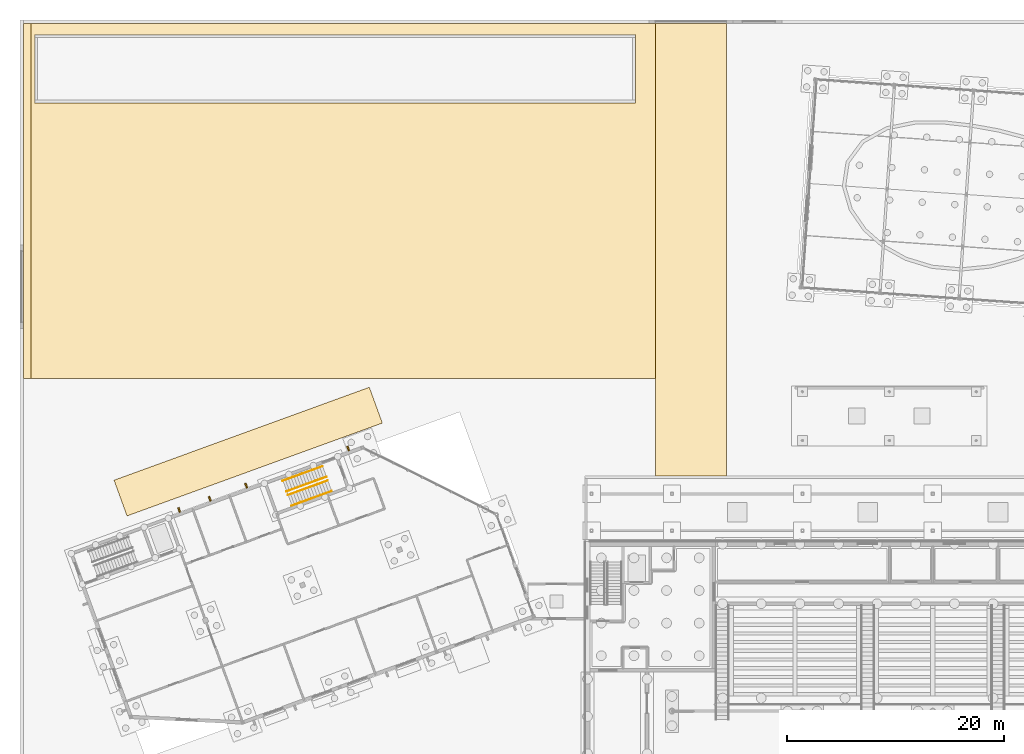
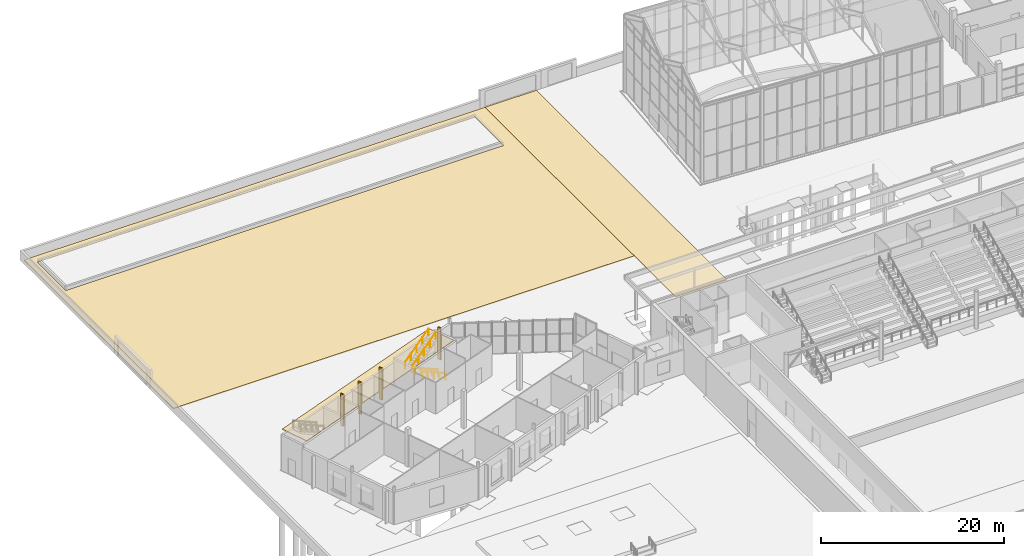
# One storey, part 137 of 157: 4 coverings, 4 railings, 4 shading devices.
"""IFC4 building model written with IfcOpenShell, lengths in metres."""

from ifc_helpers import new_model, si_unit, direction, frame, origin, origin_2d, place, context, subcontext, project, spatial, polyline, circle, outline, extrude, material, layer, layer_set, type_object, element, save


model = new_model("IFC4")

# Units and contexts
model_context = context("Model", 3, precision=1e-05, world=origin(), true_north=direction((0.0, 1.0)))
body_context = subcontext(model_context, "Body", "Model", "MODEL_VIEW")
ifc_project = project(units=[si_unit("LENGTHUNIT", "METRE"), si_unit("AREAUNIT", "SQUARE_METRE"), si_unit("VOLUMEUNIT", "CUBIC_METRE"), si_unit("PLANEANGLEUNIT", "RADIAN"), si_unit("MASSUNIT", "GRAM", prefix="KILO")], contexts=[model_context])

# Site, building, storey
site_placement = place(None, origin())
site = spatial("IfcSite", under=ifc_project, at=site_placement, CompositionType="ELEMENT")
building_placement = place(site_placement, origin())
building = spatial("IfcBuilding", under=site, at=building_placement, Name="Windward Yard Aquatics Centre", CompositionType="ELEMENT")
storey_placement = place(building_placement, origin())
storey = spatial("IfcBuildingStorey", under=building, at=storey_placement, Name="L00", CompositionType="ELEMENT", Elevation=0.0)

# Railings
ifc_material_1 = material(Name="Stainless steel 1.4401", Category="steel")
railing_type = type_object("IfcRailingType", Name="F handrail 900 stainless steel", PredefinedType="HANDRAIL", material=ifc_material_1)
for number, where, name in (
    (1, (28.6806640625, 100.64306640625, 0.166748046875), "F.RL.H.L00.S2.11"),
    (2, (28.324951171875, 101.620361328125, 0.166748046875), "F.RL.H.L00.S2.12"),
):
    element("IfcRailing", number, at=place(storey_placement, frame(where)), inside=storey, type_object=railing_type, Name=name, PredefinedType="HANDRAIL", context=body_context, shape_type="SweptSolid", body=[
        extrude(circle(Radius=0.02099609375, at=origin_2d()), frame((0.0, 0.0, 0.87890625), z_axis=(-0.807473176695, -0.293918523754, 0.511467467502), x_axis=(0.342043081867, -0.939684271523, 0.0)), (0.0, 0.0, 1.0), 4.561767578125),
        extrude(circle(Radius=0.01611328125, at=origin_2d()), origin(), (0.0, 0.0, 1.0), 0.85791015625),
        extrude(circle(Radius=0.01611328125, at=origin_2d()), frame((-0.9208984375, -0.335205078125, 0.583251953125)), (0.0, 0.0, 1.0), 0.85791015625),
        extrude(circle(Radius=0.01611328125, at=origin_2d()), frame((-1.841796875, -0.67041015625, 1.16650390625)), (0.0, 0.0, 1.0), 0.85791015625),
        extrude(circle(Radius=0.01611328125, at=origin_2d()), frame((-2.7626953125, -1.005615234375, 1.75)), (0.0, 0.0, 1.0), 0.85791015625),
        extrude(circle(Radius=0.01611328125, at=origin_2d()), frame((-3.68359375, -1.3408203125, 2.333251953125)), (0.0, 0.0, 1.0), 0.85791015625),
    ])
for number, where, name in (
    (3, (24.51806640625, 100.617919921875, 2.666748046875), "F.RL.H.L00.S2.21"),
    (4, (24.162353515625, 101.59521484375, 2.666748046875), "F.RL.H.L00.S2.22"),
):
    element("IfcRailing", number, at=place(storey_placement, frame(where)), inside=storey, type_object=railing_type, Name=name, PredefinedType="HANDRAIL", context=body_context, shape_type="SweptSolid", body=[
        extrude(circle(Radius=0.02099609375, at=origin_2d()), frame((0.0, 0.0, 0.87890625), z_axis=(0.807485877235, 0.293869628307, 0.511475512244), x_axis=(-0.34198808625, 0.939704287988, 0.0)), (0.0, 0.0, 1.0), 4.561767578125),
        extrude(circle(Radius=0.01611328125, at=origin_2d()), origin(), (0.0, 0.0, 1.0), 0.85791015625),
        extrude(circle(Radius=0.01611328125, at=origin_2d()), frame((0.9208984375, 0.335205078125, 0.583251953125)), (0.0, 0.0, 1.0), 0.85791015625),
        extrude(circle(Radius=0.01611328125, at=origin_2d()), frame((1.841796875, 0.67041015625, 1.16650390625)), (0.0, 0.0, 1.0), 0.85791015625),
        extrude(circle(Radius=0.01611328125, at=origin_2d()), frame((2.7626953125, 1.00537109375, 1.75)), (0.0, 0.0, 1.0), 0.85791015625),
        extrude(circle(Radius=0.01611328125, at=origin_2d()), frame((3.68359375, 1.340576171875, 2.333251953125)), (0.0, 0.0, 1.0), 0.85791015625),
    ])

# Shading devices
ifc_material_2 = material(Name="Aluminium fin, powder coated", Category="aluminium")
shading_device_type = type_object("IfcShadingDeviceType", Name="F vertical fin 150x450", PredefinedType="USERDEFINED", material=ifc_material_2)
shading_device_1_placement = place(storey_placement, origin())
element("IfcShadingDevice", 5, at=shading_device_1_placement, inside=storey, type_object=shading_device_type, Name="Vertical fin F.WL.L00.E08.1.1", ObjectType="FIN", PredefinedType="USERDEFINED", context=body_context, shape_type="SweptSolid", body=[
    extrude(outline(polyline([(30.056640625, 104.7568359375), (30.197509765625, 104.80810546875), (30.351318359375, 104.38525390625), (30.21044921875, 104.333984375), (30.056640625, 104.7568359375)])), origin(), (0.0, 0.0, 1.0), 4.2529296875),
])
shading_device_2_placement = place(storey_placement, origin())
element("IfcShadingDevice", 6, at=shading_device_2_placement, inside=storey, type_object=shading_device_type, Name="Vertical fin F.WL.L00.E09.1.1", ObjectType="FIN", PredefinedType="USERDEFINED", context=body_context, shape_type="SweptSolid", body=[
    extrude(outline(polyline([(20.65966796875, 101.336669921875), (20.800537109375, 101.387939453125), (20.95458984375, 100.965087890625), (20.813720703125, 100.913818359375), (20.65966796875, 101.336669921875)])), origin(), (0.0, 0.0, 1.0), 4.2529296875),
])
shading_device_3_placement = place(storey_placement, origin())
element("IfcShadingDevice", 7, at=shading_device_3_placement, inside=storey, type_object=shading_device_type, Name="Vertical fin F.WL.L00.E10.1.1", ObjectType="FIN", PredefinedType="USERDEFINED", context=body_context, shape_type="SweptSolid", body=[
    extrude(outline(polyline([(17.32373046875, 100.122314453125), (17.464599609375, 100.173583984375), (17.61865234375, 99.7509765625), (17.477783203125, 99.69970703125), (17.32373046875, 100.122314453125)])), origin(), (0.0, 0.0, 1.0), 4.2529296875),
])
shading_device_4_placement = place(storey_placement, origin())
element("IfcShadingDevice", 8, at=shading_device_4_placement, inside=storey, type_object=shading_device_type, Name="Vertical fin F.WL.L00.E11.1.1", ObjectType="FIN", PredefinedType="USERDEFINED", context=body_context, shape_type="SweptSolid", body=[
    extrude(outline(polyline([(14.504638671875, 99.09619140625), (14.6455078125, 99.147705078125), (14.799560546875, 98.724853515625), (14.65869140625, 98.673583984375), (14.504638671875, 99.09619140625)])), origin(), (0.0, 0.0, 1.0), 4.2529296875),
])

# Coverings
ifc_material_3 = material(Name="Asphalt surfacing")
ifc_layer_1 = layer(ifc_material_3, 0.10009765625)
ifc_layer_set_1 = layer_set([ifc_layer_1], Name="X Car Park Surfacing 100")
covering_type_1 = type_object("IfcCoveringType", Name="X Car Park Surfacing 100", PredefinedType="FLOORING", material=ifc_layer_set_1)
covering_1_placement = place(storey_placement, frame((0.0, 0.0, -0.10009765625)))
element("IfcCovering", 9, at=covering_1_placement, inside=storey, type_object=covering_type_1, Name="Drop-off lay-by paving 1", PredefinedType="FLOORING", context=body_context, shape_type="SweptSolid", body=[
    extrude(outline(polyline([(8.65380859375, 101.649169921875), (9.850830078125, 98.360107421875), (33.343017578125, 106.91064453125), (32.14599609375, 110.19970703125), (8.65380859375, 101.649169921875)])), origin(), (0.0, 0.0, 1.0), 0.10009765625),
])
covering_2_placement = place(storey_placement, frame((0.0, 0.0, -0.10009765625)))
element("IfcCovering", 10, at=covering_2_placement, inside=storey, type_object=covering_type_1, Name="Car park A paving 1", PredefinedType="FLOORING", context=body_context, shape_type="SweptSolid", body=[
    extrude(outline(polyline([(1.0, 111.0), (58.5, 111.0), (58.5, 143.679931640625), (1.0, 143.679931640625), (1.0, 111.0)]), holes=[polyline([(1.35498046875, 136.375), (1.3564453125, 136.3671875), (1.36083984375, 136.36083984375), (1.3671875, 136.3564453125), (1.375, 136.35498046875), (56.626953125, 136.35498046875), (56.6328125, 136.3564453125), (56.63916015625, 136.36083984375), (56.6435546875, 136.3671875), (56.64501953125, 136.375), (56.64501953125, 142.626953125), (56.642578125, 142.634521484375), (56.63916015625, 142.63916015625), (56.6328125, 142.6435546875), (56.625, 142.64501953125), (1.373046875, 142.64501953125), (1.3671875, 142.6435546875), (1.36083984375, 142.63916015625), (1.3564453125, 142.6328125), (1.35498046875, 142.625), (1.35498046875, 136.375)])]), origin(), (0.0, 0.0, 1.0), 0.10009765625),
])
ifc_material_4 = material(Name="Asphalt carriageway surfacing")
ifc_layer_2 = layer(ifc_material_4, 0.10009765625)
ifc_layer_set_2 = layer_set([ifc_layer_2], Name="X Carriageway Asphalt 100")
covering_type_2 = type_object("IfcCoveringType", Name="X Carriageway Asphalt 100", PredefinedType="FLOORING", material=ifc_layer_set_2)
covering_3_placement = place(storey_placement, frame((0.0, 0.0, -0.10009765625)))
element("IfcCovering", 11, at=covering_3_placement, inside=storey, type_object=covering_type_2, Name="Vehicle lane A paving 1", PredefinedType="FLOORING", context=body_context, shape_type="SweptSolid", body=[
    extrude(outline(polyline([(58.5, 102.02001953125), (65.0, 102.02001953125), (65.0, 143.679931640625), (58.5, 143.679931640625), (58.5, 102.02001953125)])), origin(), (0.0, 0.0, 1.0), 0.10009765625),
])
ifc_material_5 = material(Name="Concrete block paving C35/45", Category="concrete")
ifc_layer_3 = layer(ifc_material_5, 0.080078125)
ifc_layer_set_3 = layer_set([ifc_layer_3], Name="X Concrete Block Paving 80")
covering_type_3 = type_object("IfcCoveringType", Name="X Concrete Block Paving 80", PredefinedType="FLOORING", material=ifc_layer_set_3)
covering_4_placement = place(storey_placement, frame((0.0, 0.0, -0.080078125)))
element("IfcCovering", 12, at=covering_4_placement, inside=storey, type_object=covering_type_3, Name="Garden court paving 1", PredefinedType="FLOORING", context=body_context, shape_type="SweptSolid", body=[
    extrude(outline(polyline([(0.320068359375, 111.0), (1.0, 111.0), (1.0, 143.679931640625), (0.320068359375, 143.679931640625), (0.320068359375, 111.0)])), origin(), (0.0, 0.0, 1.0), 0.080078125),
])

save(model, "model.ifc")
